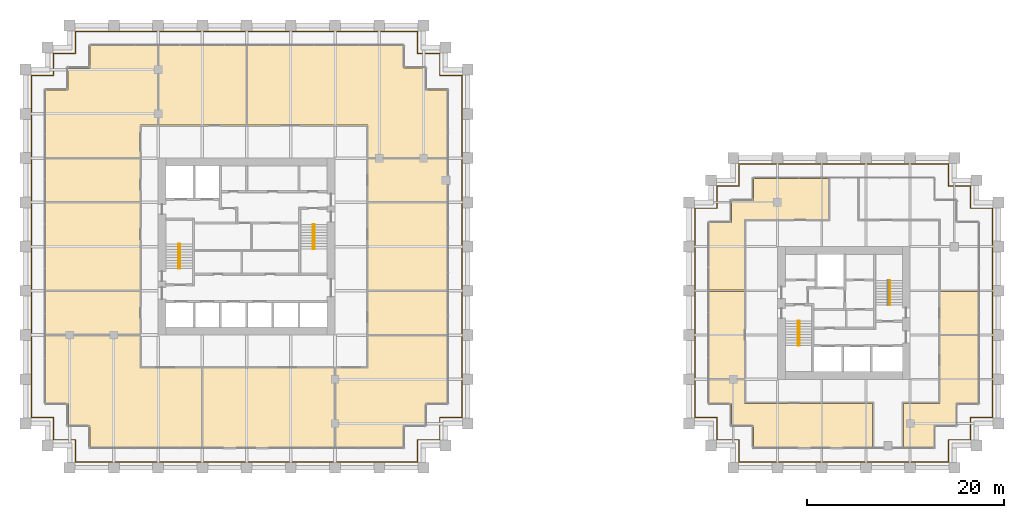
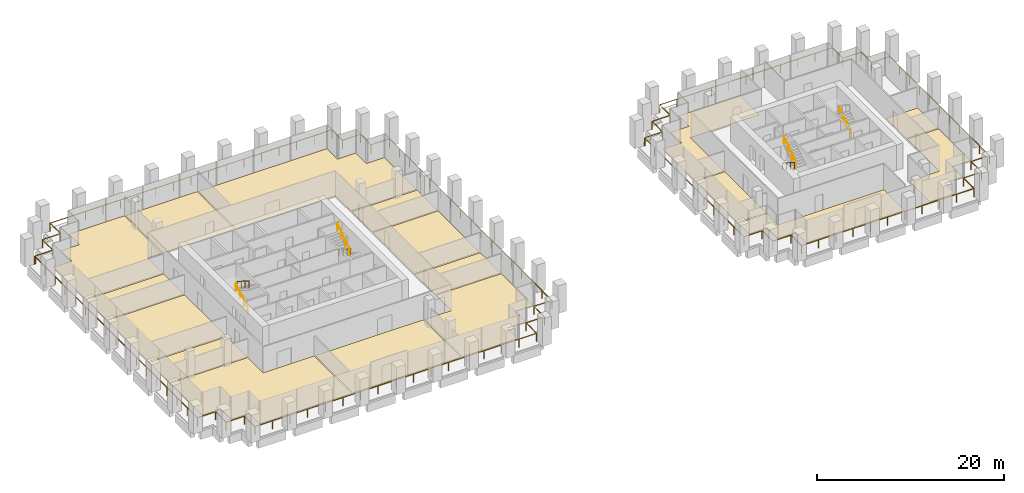
# One storey, part 55 of 56: 17 coverings, 9 railings.
"""IFC4 building model written with IfcOpenShell, lengths in metres."""

import ifcopenshell
import ifcopenshell.guid

model = None  # the IFC model being written
_history = None  # IfcOwnerHistory: only IFC2X3 demands one
_inside = {}  # id of a spatial element -> (the spatial element, [elements in it])
_under = {}  # id of a project, library or spatial element -> (it, [spatial elements below it])
_declared = {}  # id of a project -> (the project, [libraries it declares])
_typed = {}  # id of a type object -> (the type object, [elements of that type])
_made_of = {}  # id of a material, layer set ... -> (it, [elements and type objects made of it])


def new_model(schema):
    """Start an empty IFC model of exactly this schema.

    Asked for "IFC4X3", IfcOpenShell would pick the latest addendum, in which some entities
    have other attributes; the version numbers below select the first issue.
    IFC2X3 requires an IfcOwnerHistory on every rooted entity: one is made here for all.
    """
    global model, _history
    if schema == "IFC4X3":
        model = ifcopenshell.file(schema_version=(4, 3, 0, 0))
    else:
        model = ifcopenshell.file(schema=schema)
    _inside.clear()
    _under.clear()
    _declared.clear()
    _typed.clear()
    _made_of.clear()
    _history = None
    if model.schema == "IFC2X3":
        org = make("IfcOrganization", Name="unknown")
        user = make(
            "IfcPersonAndOrganization",
            ThePerson=make("IfcPerson", FamilyName="unknown"),
            TheOrganization=org,
        )
        app = make(
            "IfcApplication",
            ApplicationDeveloper=org,
            Version="unknown",
            ApplicationFullName="unknown",
            ApplicationIdentifier="unknown",
        )
        _history = make(
            "IfcOwnerHistory",
            OwningUser=user,
            OwningApplication=app,
            ChangeAction="ADDED",
            CreationDate=0,
        )
    return model


def make(cls, **values):
    """One entity of the class cls with the attributes given. An attribute that is None is left unset."""
    return model.create_entity(
        cls, **{name: value for name, value in values.items() if value is not None}
    )


def rooted(cls, **values):
    """An entity with a GlobalId (a new one), such as an element, a storey or a relation."""
    return make(cls, GlobalId=ifcopenshell.guid.new(), OwnerHistory=_history, **values)


def si_unit(unit_type, name, prefix=None):
    """IfcSIUnit, for example si_unit("LENGTHUNIT", "METRE", prefix="MILLI")."""
    return make("IfcSIUnit", UnitType=unit_type, Prefix=prefix, Name=name)


def assignment(units):
    """IfcUnitAssignment: the units of a project."""
    return None if units is None else make("IfcUnitAssignment", Units=units)


def point(xyz):
    """IfcCartesianPoint."""
    return None if xyz is None else make("IfcCartesianPoint", Coordinates=xyz)


def direction(xyz):
    """IfcDirection."""
    return None if xyz is None else make("IfcDirection", DirectionRatios=xyz)


def frame(location, z_axis=None, x_axis=None):
    """IfcAxis2Placement3D, a coordinate frame: its origin and axes. An axis left out is left unset."""
    return make(
        "IfcAxis2Placement3D",
        Location=point(location),
        Axis=direction(z_axis),
        RefDirection=direction(x_axis),
    )


def frame_2d(location, x_axis=None):
    """IfcAxis2Placement2D, a coordinate frame in the plane: its origin and x axis."""
    return make(
        "IfcAxis2Placement2D", Location=point(location), RefDirection=direction(x_axis)
    )


def origin():
    """The frame at (0, 0, 0) with its axes left unset."""
    return frame((0.0, 0.0, 0.0))


def origin_2d():
    """The frame at (0, 0) in the plane with its x axis left unset."""
    return frame_2d((0.0, 0.0))


def place(relative_to, where):
    """IfcLocalPlacement: puts the frame where relative to a parent placement (None: the world)."""
    return make(
        "IfcLocalPlacement", PlacementRelTo=relative_to, RelativePlacement=where
    )


def context(
    kind, dimensions, precision=None, world=None, true_north=None, identifier=None
):
    """IfcGeometricRepresentationContext, for example the 3D "Model" context."""
    return make(
        "IfcGeometricRepresentationContext",
        ContextIdentifier=identifier,
        ContextType=kind,
        CoordinateSpaceDimension=dimensions,
        Precision=precision,
        WorldCoordinateSystem=world,
        TrueNorth=true_north,
    )


def subcontext(parent, identifier, kind, view, scale=None):
    """IfcGeometricRepresentationSubContext, for example "Body" below "Model"."""
    return make(
        "IfcGeometricRepresentationSubContext",
        ContextIdentifier=identifier,
        ContextType=kind,
        ParentContext=parent,
        TargetScale=scale,
        TargetView=view,
    )


def project(units=None, contexts=None):
    """IfcProject with its units and contexts."""
    return rooted(
        "IfcProject",
        Name="project",
        RepresentationContexts=contexts,
        UnitsInContext=assignment(units),
    )


def spatial(cls, under=None, at=None, **own):
    """A site, building, storey or space (cls), placed at a placement, below another one or the project."""
    s = rooted(cls, ObjectPlacement=at, **own)
    if under is not None:
        _under.setdefault(under.id(), (under, []))[1].append(s)
    return s


def polyline(points):
    """IfcPolyline through the points."""
    return make("IfcPolyline", Points=[point(p) for p in points])


def profile(cls, at=None, kind="AREA", **sizes):
    """A parametric profile (cls). Its sizes go by their IFC names, for example OverallWidth=200.0."""
    return make(cls, ProfileType=kind, Position=at, **sizes)


def circle(**sizes):
    """IfcCircleProfileDef."""
    return profile("IfcCircleProfileDef", **sizes)


def outline(outer, holes=None, kind="AREA"):
    """IfcArbitraryClosedProfileDef: a profile drawn as a closed curve; with holes, ...WithVoids."""
    if holes is None:
        return make("IfcArbitraryClosedProfileDef", ProfileType=kind, OuterCurve=outer)
    return make(
        "IfcArbitraryProfileDefWithVoids",
        ProfileType=kind,
        OuterCurve=outer,
        InnerCurves=holes,
    )


def extrude(swept, where, along, depth):
    """IfcExtrudedAreaSolid: the profile swept, set in the frame where, extruded along a direction by depth."""
    return make(
        "IfcExtrudedAreaSolid",
        SweptArea=swept,
        Position=where,
        ExtrudedDirection=direction(along),
        Depth=depth,
    )


def shape(context_of_items, identifier, shape_type, items):
    """IfcShapeRepresentation: the items that make up one representation, for example the "Body"."""
    return make(
        "IfcShapeRepresentation",
        ContextOfItems=context_of_items,
        RepresentationIdentifier=identifier,
        RepresentationType=shape_type,
        Items=items,
    )


def source(mapping_origin, context_of_items, identifier, shape_type, items):
    """IfcRepresentationMap: a shape defined once, which mapped items show again and again."""
    return make(
        "IfcRepresentationMap",
        MappingOrigin=mapping_origin,
        MappedRepresentation=shape(context_of_items, identifier, shape_type, items),
    )


def transform(
    local_origin,
    x_axis=None,
    y_axis=None,
    z_axis=None,
    scale=None,
    scale2=None,
    scale3=None,
    uniform=True,
):
    """IfcCartesianTransformationOperator3D, or its non-uniform kind. x_axis, y_axis, z_axis: its Axis1, 2, 3."""
    if uniform:
        return make(
            "IfcCartesianTransformationOperator3D",
            Axis1=direction(x_axis),
            Axis2=direction(y_axis),
            LocalOrigin=point(local_origin),
            Scale=scale,
            Axis3=direction(z_axis),
        )
    return make(
        "IfcCartesianTransformationOperator3DnonUniform",
        Axis1=direction(x_axis),
        Axis2=direction(y_axis),
        LocalOrigin=point(local_origin),
        Scale=scale,
        Axis3=direction(z_axis),
        Scale2=scale2,
        Scale3=scale3,
    )


def mapped(mapping_source, mapping_target):
    """IfcMappedItem: shows the shape of a source again, moved by a transform."""
    return make(
        "IfcMappedItem", MappingSource=mapping_source, MappingTarget=mapping_target
    )


def material(Name=None, Category=None):
    """IfcMaterial."""
    return make("IfcMaterial", Name=Name, Category=Category)


def layer(
    of_material, thickness, ventilated=None, Name=None, Category=None, Priority=None
):
    """IfcMaterialLayer: one layer of a wall or slab, of a material (None: an air gap)."""
    return make(
        "IfcMaterialLayer",
        Material=of_material,
        LayerThickness=thickness,
        IsVentilated=ventilated,
        Name=Name,
        Category=Category,
        Priority=Priority,
    )


def layer_set(layers, Name=None):
    """IfcMaterialLayerSet."""
    return make("IfcMaterialLayerSet", MaterialLayers=layers, LayerSetName=Name)


def made_of(thing, what):
    """Note that an element or type object is made of a material, layer set ...; save() writes the relation."""
    if what is not None:
        _made_of.setdefault(what.id(), (what, []))[1].append(thing)
    return thing


def type_object(cls, material=None, **own):
    """A type object (cls), such as IfcWallType, which elements share."""
    return made_of(rooted(cls, **own), material)


def element(
    cls,
    number,
    at=None,
    inside=None,
    cuts=None,
    type_object=None,
    material=None,
    context=None,
    identifier="Body",
    shape_type=None,
    held_by="IfcProductDefinitionShape",
    body=None,
    shapes=None,
    **own,
):
    """One element of the class cls, such as IfcWall. Its Tag is "e" and its number.

    at: its placement. inside: the storey or other place that contains it. cuts: it is an
    opening in that element (IfcRelVoidsElement). A single representation is given by context,
    identifier, shape_type and body (its items); several are given by shapes. held_by: the class
    of the entity that holds the representations. save() writes the other relations.
    """
    e = rooted(cls, Tag="e%d" % number, ObjectPlacement=at, **own)
    if body is not None:
        shapes = [shape(context, identifier, shape_type, body)]
    if shapes is not None:
        e.Representation = make(held_by, Representations=shapes)
    if inside is not None:
        _inside.setdefault(inside.id(), (inside, []))[1].append(e)
    if cuts is not None:
        rooted(
            "IfcRelVoidsElement", RelatingBuildingElement=cuts, RelatedOpeningElement=e
        )
    if type_object is not None:
        _typed.setdefault(type_object.id(), (type_object, []))[1].append(e)
    return made_of(e, material)


def aggregate(whole, parts):
    """IfcRelAggregates: a whole, such as a stair, and the parts it consists of."""
    return rooted("IfcRelAggregates", RelatingObject=whole, RelatedObjects=parts)


def save(model, path):
    """Write the relations noted so far, then the file.

    IfcRelAggregates (storeys below a building ...), IfcRelContainedInSpatialStructure (elements
    in a storey), IfcRelDefinesByType, IfcRelAssociatesMaterial and IfcRelDeclares: one each for
    every whole, place, type object, material and project.
    """
    for whole, parts in _under.values():
        aggregate(whole, parts)
    for where, things in _inside.values():
        rooted(
            "IfcRelContainedInSpatialStructure",
            RelatedElements=things,
            RelatingStructure=where,
        )
    for kind, things in _typed.values():
        rooted("IfcRelDefinesByType", RelatedObjects=things, RelatingType=kind)
    for what, things in _made_of.values():
        rooted("IfcRelAssociatesMaterial", RelatedObjects=things, RelatingMaterial=what)
    for by, libraries in _declared.values():
        rooted("IfcRelDeclares", RelatingContext=by, RelatedDefinitions=libraries)
    model.write(path)


model = new_model("IFC4")

# Units and contexts
model_context = context("Model", 3, precision=1e-05, world=origin(), true_north=direction((0.0, 1.0)))
body_context = subcontext(model_context, "Body", "Model", "MODEL_VIEW")
ifc_project = project(units=[si_unit("LENGTHUNIT", "METRE"), si_unit("AREAUNIT", "SQUARE_METRE"), si_unit("VOLUMEUNIT", "CUBIC_METRE"), si_unit("PLANEANGLEUNIT", "RADIAN"), si_unit("MASSUNIT", "GRAM", prefix="KILO")], contexts=[model_context])

# Site, building, storey
site_placement = place(None, origin())
site = spatial("IfcSite", under=ifc_project, at=site_placement, CompositionType="ELEMENT")
building_placement = place(site_placement, origin())
building = spatial("IfcBuilding", under=site, at=building_placement, Name="Altepetl Exchange Towers", CompositionType="ELEMENT")
storey_placement = place(building_placement, frame((0.0, 0.0, 83.39990234375)))
storey = spatial("IfcBuildingStorey", under=building, at=storey_placement, Name="L20", CompositionType="ELEMENT", Elevation=83.39990234375)

# Coverings
ifc_material_1 = material(Name="Carpet tile")
ifc_layer_1 = layer(ifc_material_1, 0.02001953125)
ifc_layer_set_1 = layer_set([ifc_layer_1], Name="Carpet tile")
covering_type_1 = type_object("IfcCoveringType", Name="Carpet tile floor", PredefinedType="FLOORING", material=ifc_layer_set_1)
covering_1_placement = place(storey_placement, origin())
element("IfcCovering", 1, at=covering_1_placement, inside=storey, type_object=covering_type_1, Name="Meeting room floor finish A20.01", PredefinedType="FLOORING", context=body_context, shape_type="SweptSolid", body=[
    extrude(outline(polyline([(29.0625, 40.5625), (38.637451171875, 40.5625), (38.637451171875, 44.9375), (29.0625, 44.9375), (29.0625, 40.5625)])), origin(), (0.0, 0.0, 1.0), 0.02001953125),
])
covering_2_placement = place(storey_placement, origin())
element("IfcCovering", 2, at=covering_2_placement, inside=storey, type_object=covering_type_1, Name="Open office floor finish A20.04", PredefinedType="FLOORING", context=body_context, shape_type="SweptSolid", body=[
    extrude(outline(polyline([(69.9375, 40.4375), (61.862548828125, 40.4375), (61.862548828125, 37.137451171875), (58.5625, 37.137451171875), (58.5625, 29.0625), (65.4375, 29.0625), (65.4375, 31.3125), (67.6875, 31.3125), (67.6875, 33.5625), (69.9375, 33.5625), (69.9375, 40.4375)])), origin(), (0.0, 0.0, 1.0), 0.02001953125),
])
covering_3_placement = place(storey_placement, origin())
element("IfcCovering", 3, at=covering_3_placement, inside=storey, type_object=covering_type_1, Name="Print room floor finish A20.05", PredefinedType="FLOORING", context=body_context, shape_type="SweptSolid", body=[
    extrude(outline(polyline([(69.9375, 44.9375), (61.862548828125, 44.9375), (61.862548828125, 40.5625), (69.9375, 40.5625), (69.9375, 44.9375)])), origin(), (0.0, 0.0, 1.0), 0.02001953125),
])
covering_4_placement = place(storey_placement, origin())
element("IfcCovering", 4, at=covering_4_placement, inside=storey, type_object=covering_type_1, Name="Legal office floor finish A20.06", PredefinedType="FLOORING", context=body_context, shape_type="SweptSolid", body=[
    extrude(outline(polyline([(69.9375, 53.9375), (61.862548828125, 53.9375), (61.862548828125, 45.0625), (69.9375, 45.0625), (69.9375, 53.9375)])), origin(), (0.0, 0.0, 1.0), 0.02001953125),
])
covering_5_placement = place(storey_placement, origin())
element("IfcCovering", 5, at=covering_5_placement, inside=storey, type_object=covering_type_1, Name="Print room floor finish A20.07", PredefinedType="FLOORING", context=body_context, shape_type="SweptSolid", body=[
    extrude(outline(polyline([(69.9375, 58.4375), (61.862548828125, 58.4375), (61.862548828125, 54.0625), (69.9375, 54.0625), (69.9375, 58.4375)])), origin(), (0.0, 0.0, 1.0), 0.02001953125),
])
covering_6_placement = place(storey_placement, origin())
element("IfcCovering", 6, at=covering_6_placement, inside=storey, type_object=covering_type_1, Name="Open office floor finish A20.08", PredefinedType="FLOORING", context=body_context, shape_type="SweptSolid", body=[
    extrude(outline(polyline([(49.5625, 69.9375), (49.5625, 61.862548828125), (61.862548828125, 61.862548828125), (61.862548828125, 58.5625), (69.9375, 58.5625), (69.9375, 65.4375), (67.6875, 65.4375), (67.6875, 67.6875), (65.4375, 67.6875), (65.4375, 69.9375), (49.5625, 69.9375)])), origin(), (0.0, 0.0, 1.0), 0.02001953125),
])
covering_7_placement = place(storey_placement, origin())
element("IfcCovering", 7, at=covering_7_placement, inside=storey, type_object=covering_type_1, Name="Open office floor finish A20.09", PredefinedType="FLOORING", context=body_context, shape_type="SweptSolid", body=[
    extrude(outline(polyline([(40.5625, 69.9375), (40.5625, 61.862548828125), (49.4375, 61.862548828125), (49.4375, 69.9375), (40.5625, 69.9375)])), origin(), (0.0, 0.0, 1.0), 0.02001953125),
])
covering_8_placement = place(storey_placement, origin())
element("IfcCovering", 8, at=covering_8_placement, inside=storey, type_object=covering_type_1, Name="Legal office floor finish A20.10", PredefinedType="FLOORING", context=body_context, shape_type="SweptSolid", body=[
    extrude(outline(polyline([(33.5625, 67.6875), (31.3125, 67.6875), (31.3125, 65.4375), (29.0625, 65.4375), (29.0625, 58.5625), (38.637451171875, 58.5625), (38.637451171875, 61.862548828125), (40.4375, 61.862548828125), (40.4375, 69.9375), (33.5625, 69.9375), (33.5625, 67.6875)])), origin(), (0.0, 0.0, 1.0), 0.02001953125),
])
covering_9_placement = place(storey_placement, origin())
element("IfcCovering", 9, at=covering_9_placement, inside=storey, type_object=covering_type_1, Name="Print room floor finish A20.11", PredefinedType="FLOORING", context=body_context, shape_type="SweptSolid", body=[
    extrude(outline(polyline([(29.0625, 54.0625), (38.637451171875, 54.0625), (38.637451171875, 58.4375), (29.0625, 58.4375), (29.0625, 54.0625)])), origin(), (0.0, 0.0, 1.0), 0.02001953125),
])
covering_10_placement = place(storey_placement, origin())
element("IfcCovering", 10, at=covering_10_placement, inside=storey, type_object=covering_type_1, Name="Meeting room floor finish B20.01", PredefinedType="FLOORING", context=body_context, shape_type="SweptSolid", body=[
    extrude(outline(polyline([(100.137451171875, 44.9375), (96.5625, 44.9375), (96.5625, 36.0625), (100.137451171875, 36.0625), (100.137451171875, 44.9375)])), origin(), (0.0, 0.0, 1.0), 0.02001953125),
])
covering_11_placement = place(storey_placement, origin())
element("IfcCovering", 11, at=covering_11_placement, inside=storey, type_object=covering_type_1, Name="Open office floor finish B20.02", PredefinedType="FLOORING", context=body_context, shape_type="SweptSolid", body=[
    extrude(outline(polyline([(100.137451171875, 33.53759765625), (100.137451171875, 35.9375), (96.5625, 35.9375), (96.5625, 33.5625), (98.8125, 33.5625), (98.8125, 31.3125), (101.0625, 31.3125), (101.0625, 29.0625), (113.1875, 29.0625), (113.1875, 33.53759765625), (100.137451171875, 33.53759765625)])), origin(), (0.0, 0.0, 1.0), 0.02001953125),
])
covering_12_placement = place(storey_placement, origin())
element("IfcCovering", 12, at=covering_12_placement, inside=storey, type_object=covering_type_1, Name="Print room floor finish B20.04", PredefinedType="FLOORING", context=body_context, shape_type="SweptSolid", body=[
    extrude(outline(polyline([(123.9375, 44.9375), (120.0625, 44.9375), (120.0625, 40.5625), (123.9375, 40.5625), (123.9375, 44.9375)])), origin(), (0.0, 0.0, 1.0), 0.02001953125),
])
covering_13_placement = place(storey_placement, origin())
element("IfcCovering", 13, at=covering_13_placement, inside=storey, type_object=covering_type_1, Name="Fund office floor finish B20.06", PredefinedType="FLOORING", context=body_context, shape_type="SweptSolid", body=[
    extrude(outline(polyline([(108.6875, 56.4375), (101.0625, 56.4375), (101.0625, 54.1875), (98.8125, 54.1875), (98.8125, 51.9375), (96.5625, 51.9375), (96.5625, 45.0625), (100.137451171875, 45.0625), (100.137451171875, 52.262451171875), (108.6875, 52.262451171875), (108.6875, 56.4375)])), origin(), (0.0, 0.0, 1.0), 0.02001953125),
])
ifc_material_2 = material(Name="Cantera stone", Category="masonry")
ifc_layer_2 = layer(ifc_material_2, 0.030029296875)
ifc_layer_set_2 = layer_set([ifc_layer_2], Name="Cantera stone")
covering_type_2 = type_object("IfcCoveringType", Name="Polished stone floor", PredefinedType="FLOORING", material=ifc_layer_set_2)
covering_14_placement = place(storey_placement, origin())
element("IfcCovering", 14, at=covering_14_placement, inside=storey, type_object=covering_type_2, Name="Library floor finish A20.02", PredefinedType="FLOORING", context=body_context, shape_type="SweptSolid", body=[
    extrude(outline(polyline([(44.9375, 29.0625), (44.9375, 37.137451171875), (38.637451171875, 37.137451171875), (38.637451171875, 40.4375), (29.0625, 40.4375), (29.0625, 33.5625), (31.3125, 33.5625), (31.3125, 31.3125), (33.5625, 31.3125), (33.5625, 29.0625), (44.9375, 29.0625)])), origin(), (0.0, 0.0, 1.0), 0.030029296875),
])
covering_15_placement = place(storey_placement, origin())
element("IfcCovering", 15, at=covering_15_placement, inside=storey, type_object=covering_type_2, Name="Library floor finish A20.03", PredefinedType="FLOORING", context=body_context, shape_type="SweptSolid", body=[
    extrude(outline(polyline([(58.4375, 29.0625), (58.4375, 37.137451171875), (45.0625, 37.137451171875), (45.0625, 29.0625), (58.4375, 29.0625)])), origin(), (0.0, 0.0, 1.0), 0.030029296875),
])
covering_16_placement = place(storey_placement, origin())
element("IfcCovering", 16, at=covering_16_placement, inside=storey, type_object=covering_type_2, Name="Library floor finish A20.12", PredefinedType="FLOORING", context=body_context, shape_type="SweptSolid", body=[
    extrude(outline(polyline([(29.0625, 45.0625), (38.637451171875, 45.0625), (38.637451171875, 53.9375), (29.0625, 53.9375), (29.0625, 45.0625)])), origin(), (0.0, 0.0, 1.0), 0.030029296875),
])
covering_17_placement = place(storey_placement, origin())
element("IfcCovering", 17, at=covering_17_placement, inside=storey, type_object=covering_type_2, Name="Staff club floor finish B20.03", PredefinedType="FLOORING", context=body_context, shape_type="SweptSolid", body=[
    extrude(outline(polyline([(123.9375, 33.5625), (123.9375, 40.4375), (120.0625, 40.4375), (120.0625, 33.53759765625), (116.3125, 33.53759765625), (116.3125, 29.0625), (119.4375, 29.0625), (119.4375, 31.3125), (121.6875, 31.3125), (121.6875, 33.5625), (123.9375, 33.5625)])), origin(), (0.0, 0.0, 1.0), 0.030029296875),
])

# Railings
ifc_material_3 = material(Name="Steel S355", Category="steel")
railing_type_1 = type_object("IfcRailingType", Name="Guard 1100 steel posts and rail", PredefinedType="GUARDRAIL", material=ifc_material_3)
shared_shape_1 = source(origin(), body_context, "Body", "SweptSolid", [
    extrude(circle(Radius=0.02099609375, at=origin_2d()), origin(), (0.0, 0.0, 1.0), 1.052001953125),
])
railing_1_placement = place(storey_placement, frame((27.60009765625, 66.89990234375, 0.0)))
element("IfcRailing", 18, at=railing_1_placement, inside=storey, type_object=railing_type_1, Name="Loggia guard", PredefinedType="GUARDRAIL", context=body_context, shape_type="SweptSolid", body=[
    extrude(circle(Radius=0.02392578125, at=origin_2d()), frame((0.0, 0.0, 1.076171875), z_axis=(0.0, -1.0, 0.0), x_axis=(1.0, 0.0, 0.0)), (0.0, 0.0, 1.0), 34.7998046875),
    extrude(circle(Radius=0.02392578125, at=origin_2d()), frame((0.0, -34.7998046875, 1.076171875), z_axis=(1.0, 0.0, 0.0), x_axis=(0.0, 1.0, 0.0)), (0.0, 0.0, 1.0), 2.25),
    extrude(circle(Radius=0.02392578125, at=origin_2d()), frame((2.25, -34.7998046875, 1.076171875), z_axis=(0.0, -1.0, 0.0), x_axis=(1.0, 0.0, 0.0)), (0.0, 0.0, 1.0), 2.25),
    extrude(circle(Radius=0.02392578125, at=origin_2d()), frame((2.25, -37.0498046875, 1.076171875), z_axis=(1.0, 0.0, 0.0), x_axis=(0.0, 1.0, 0.0)), (0.0, 0.0, 1.0), 2.25),
    extrude(circle(Radius=0.02392578125, at=origin_2d()), frame((4.5, -37.0498046875, 1.076171875), z_axis=(0.0, -1.0, 0.0), x_axis=(1.0, 0.0, 0.0)), (0.0, 0.0, 1.0), 2.25),
    extrude(circle(Radius=0.02392578125, at=origin_2d()), frame((4.5, -39.2998046875, 1.076171875), z_axis=(1.0, 0.0, 0.0), x_axis=(0.0, 1.0, 0.0)), (0.0, 0.0, 1.0), 34.7998046875),
    extrude(circle(Radius=0.02392578125, at=origin_2d()), frame((39.2998046875, -39.2998046875, 1.076171875), z_axis=(0.0, 1.0, 0.0), x_axis=(-1.0, 0.0, 0.0)), (0.0, 0.0, 1.0), 2.25),
    extrude(circle(Radius=0.02392578125, at=origin_2d()), frame((39.2998046875, -37.0498046875, 1.076171875), z_axis=(1.0, 0.0, 0.0), x_axis=(0.0, 1.0, 0.0)), (0.0, 0.0, 1.0), 2.25),
    extrude(circle(Radius=0.02392578125, at=origin_2d()), frame((41.5498046875, -37.0498046875, 1.076171875), z_axis=(0.0, 1.0, 0.0), x_axis=(-1.0, 0.0, 0.0)), (0.0, 0.0, 1.0), 2.25),
    extrude(circle(Radius=0.02392578125, at=origin_2d()), frame((41.5498046875, -34.7998046875, 1.076171875), z_axis=(1.0, 0.0, 0.0), x_axis=(0.0, 1.0, 0.0)), (0.0, 0.0, 1.0), 2.25),
    extrude(circle(Radius=0.02392578125, at=origin_2d()), frame((43.7998046875, -34.7998046875, 1.076171875), z_axis=(0.0, 1.0, 0.0), x_axis=(-1.0, 0.0, 0.0)), (0.0, 0.0, 1.0), 34.7998046875),
    extrude(circle(Radius=0.02392578125, at=origin_2d()), frame((43.7998046875, 0.0, 1.076171875), z_axis=(-1.0, 0.0, 0.0), x_axis=(0.0, -1.0, 0.0)), (0.0, 0.0, 1.0), 2.25),
    extrude(circle(Radius=0.02392578125, at=origin_2d()), frame((41.5498046875, 0.0, 1.076171875), z_axis=(0.0, 1.0, 0.0), x_axis=(-1.0, 0.0, 0.0)), (0.0, 0.0, 1.0), 2.25),
    extrude(circle(Radius=0.02392578125, at=origin_2d()), frame((41.5498046875, 2.25, 1.076171875), z_axis=(-1.0, 0.0, 0.0), x_axis=(0.0, -1.0, 0.0)), (0.0, 0.0, 1.0), 2.25),
    extrude(circle(Radius=0.02392578125, at=origin_2d()), frame((39.2998046875, 2.25, 1.076171875), z_axis=(0.0, 1.0, 0.0), x_axis=(-1.0, 0.0, 0.0)), (0.0, 0.0, 1.0), 2.25),
    extrude(circle(Radius=0.02392578125, at=origin_2d()), frame((39.2998046875, 4.5, 1.076171875), z_axis=(-1.0, 0.0, 0.0), x_axis=(0.0, -1.0, 0.0)), (0.0, 0.0, 1.0), 34.7998046875),
    extrude(circle(Radius=0.02392578125, at=origin_2d()), frame((4.5, 4.5, 1.076171875), z_axis=(0.0, -1.0, 0.0), x_axis=(1.0, 0.0, 0.0)), (0.0, 0.0, 1.0), 2.25),
    extrude(circle(Radius=0.02392578125, at=origin_2d()), frame((4.5, 2.25, 1.076171875), z_axis=(-1.0, 0.0, 0.0), x_axis=(0.0, -1.0, 0.0)), (0.0, 0.0, 1.0), 2.25),
    extrude(circle(Radius=0.02392578125, at=origin_2d()), frame((2.25, 2.25, 1.076171875), z_axis=(0.0, -1.0, 0.0), x_axis=(1.0, 0.0, 0.0)), (0.0, 0.0, 1.0), 2.25),
    extrude(circle(Radius=0.02392578125, at=origin_2d()), frame((2.25, 0.0, 1.076171875), z_axis=(-1.0, 0.0, 0.0), x_axis=(0.0, -1.0, 0.0)), (0.0, 0.0, 1.0), 2.150146484375),
    mapped(shared_shape_1, transform((0.0, 0.0, 0.0))),
    mapped(shared_shape_1, transform((0.0, -2.175048828125, 0.0))),
    mapped(shared_shape_1, transform((0.0, -4.35009765625, 0.0))),
    mapped(shared_shape_1, transform((0.0, -6.52490234375, 0.0))),
    mapped(shared_shape_1, transform((0.0, -8.699951171875, 0.0))),
    mapped(shared_shape_1, transform((0.0, -10.875, 0.0))),
    mapped(shared_shape_1, transform((0.0, -13.0498046875, 0.0))),
    mapped(shared_shape_1, transform((0.0, -15.224853515625, 0.0))),
    mapped(shared_shape_1, transform((0.0, -17.39990234375, 0.0))),
    mapped(shared_shape_1, transform((0.0, -19.574951171875, 0.0))),
    mapped(shared_shape_1, transform((0.0, -21.75, 0.0))),
    mapped(shared_shape_1, transform((0.0, -23.9248046875, 0.0))),
    mapped(shared_shape_1, transform((0.0, -26.099853515625, 0.0))),
    mapped(shared_shape_1, transform((0.0, -28.27490234375, 0.0))),
    mapped(shared_shape_1, transform((0.0, -30.44970703125, 0.0))),
    mapped(shared_shape_1, transform((0.0, -32.624755859375, 0.0))),
    mapped(shared_shape_1, transform((0.0, -34.7998046875, 0.0))),
    mapped(shared_shape_1, transform((2.25, -34.7998046875, 0.0))),
    mapped(shared_shape_1, transform((2.25, -37.0498046875, 0.0))),
    mapped(shared_shape_1, transform((4.5, -37.0498046875, 0.0))),
    mapped(shared_shape_1, transform((4.5, -39.2998046875, 0.0))),
    mapped(shared_shape_1, transform((6.675048828125, -39.2998046875, 0.0))),
    mapped(shared_shape_1, transform((8.85009765625, -39.2998046875, 0.0))),
    mapped(shared_shape_1, transform((11.02490234375, -39.2998046875, 0.0))),
    mapped(shared_shape_1, transform((13.199951171875, -39.2998046875, 0.0))),
    mapped(shared_shape_1, transform((15.375, -39.2998046875, 0.0))),
    mapped(shared_shape_1, transform((17.5498046875, -39.2998046875, 0.0))),
    mapped(shared_shape_1, transform((19.724853515625, -39.2998046875, 0.0))),
    mapped(shared_shape_1, transform((21.89990234375, -39.2998046875, 0.0))),
    mapped(shared_shape_1, transform((24.074951171875, -39.2998046875, 0.0))),
    mapped(shared_shape_1, transform((26.25, -39.2998046875, 0.0))),
    mapped(shared_shape_1, transform((28.4248046875, -39.2998046875, 0.0))),
    mapped(shared_shape_1, transform((30.599853515625, -39.2998046875, 0.0))),
    mapped(shared_shape_1, transform((32.77490234375, -39.2998046875, 0.0))),
    mapped(shared_shape_1, transform((34.94970703125, -39.2998046875, 0.0))),
    mapped(shared_shape_1, transform((37.124755859375, -39.2998046875, 0.0))),
    mapped(shared_shape_1, transform((39.2998046875, -39.2998046875, 0.0))),
    mapped(shared_shape_1, transform((39.2998046875, -37.0498046875, 0.0))),
    mapped(shared_shape_1, transform((41.5498046875, -37.0498046875, 0.0))),
    mapped(shared_shape_1, transform((41.5498046875, -34.7998046875, 0.0))),
    mapped(shared_shape_1, transform((43.7998046875, -34.7998046875, 0.0))),
    mapped(shared_shape_1, transform((43.7998046875, -32.624755859375, 0.0))),
    mapped(shared_shape_1, transform((43.7998046875, -30.44970703125, 0.0))),
    mapped(shared_shape_1, transform((43.7998046875, -28.27490234375, 0.0))),
    mapped(shared_shape_1, transform((43.7998046875, -26.099853515625, 0.0))),
    mapped(shared_shape_1, transform((43.7998046875, -23.9248046875, 0.0))),
    mapped(shared_shape_1, transform((43.7998046875, -21.75, 0.0))),
    mapped(shared_shape_1, transform((43.7998046875, -19.574951171875, 0.0))),
    mapped(shared_shape_1, transform((43.7998046875, -17.39990234375, 0.0))),
    mapped(shared_shape_1, transform((43.7998046875, -15.224853515625, 0.0))),
    mapped(shared_shape_1, transform((43.7998046875, -13.0498046875, 0.0))),
    mapped(shared_shape_1, transform((43.7998046875, -10.875, 0.0))),
    mapped(shared_shape_1, transform((43.7998046875, -8.699951171875, 0.0))),
    mapped(shared_shape_1, transform((43.7998046875, -6.52490234375, 0.0))),
    mapped(shared_shape_1, transform((43.7998046875, -4.35009765625, 0.0))),
    mapped(shared_shape_1, transform((43.7998046875, -2.175048828125, 0.0))),
    mapped(shared_shape_1, transform((43.7998046875, 0.0, 0.0))),
    mapped(shared_shape_1, transform((41.5498046875, 0.0, 0.0))),
    mapped(shared_shape_1, transform((41.5498046875, 2.25, 0.0))),
    mapped(shared_shape_1, transform((39.2998046875, 2.25, 0.0))),
    mapped(shared_shape_1, transform((39.2998046875, 4.5, 0.0))),
    mapped(shared_shape_1, transform((37.124755859375, 4.5, 0.0))),
    mapped(shared_shape_1, transform((34.94970703125, 4.5, 0.0))),
    mapped(shared_shape_1, transform((32.77490234375, 4.5, 0.0))),
    mapped(shared_shape_1, transform((30.599853515625, 4.5, 0.0))),
    mapped(shared_shape_1, transform((28.4248046875, 4.5, 0.0))),
    mapped(shared_shape_1, transform((26.25, 4.5, 0.0))),
    mapped(shared_shape_1, transform((24.074951171875, 4.5, 0.0))),
    mapped(shared_shape_1, transform((21.89990234375, 4.5, 0.0))),
    mapped(shared_shape_1, transform((19.724853515625, 4.5, 0.0))),
    mapped(shared_shape_1, transform((17.5498046875, 4.5, 0.0))),
    mapped(shared_shape_1, transform((15.375, 4.5, 0.0))),
    mapped(shared_shape_1, transform((13.199951171875, 4.5, 0.0))),
    mapped(shared_shape_1, transform((11.02490234375, 4.5, 0.0))),
    mapped(shared_shape_1, transform((8.85009765625, 4.5, 0.0))),
    mapped(shared_shape_1, transform((6.675048828125, 4.5, 0.0))),
    mapped(shared_shape_1, transform((4.5, 4.5, 0.0))),
    mapped(shared_shape_1, transform((4.5, 2.25, 0.0))),
    mapped(shared_shape_1, transform((2.25, 2.25, 0.0))),
    mapped(shared_shape_1, transform((2.25, 0.0, 0.0))),
    mapped(shared_shape_1, transform((0.099853515625, 0.0, 0.0))),
])
railing_2_placement = place(storey_placement, frame((95.10009765625, 53.39990234375, 0.0)))
element("IfcRailing", 19, at=railing_2_placement, inside=storey, type_object=railing_type_1, Name="Loggia guard", PredefinedType="GUARDRAIL", context=body_context, shape_type="SweptSolid", body=[
    extrude(circle(Radius=0.02392578125, at=origin_2d()), frame((0.0, 0.0, 1.076171875), z_axis=(0.0, -1.0, 0.0), x_axis=(1.0, 0.0, 0.0)), (0.0, 0.0, 1.0), 21.2998046875),
    extrude(circle(Radius=0.02392578125, at=origin_2d()), frame((0.0, -21.2998046875, 1.076171875), z_axis=(1.0, 0.0, 0.0), x_axis=(0.0, 1.0, 0.0)), (0.0, 0.0, 1.0), 2.25),
    extrude(circle(Radius=0.02392578125, at=origin_2d()), frame((2.25, -21.2998046875, 1.076171875), z_axis=(0.0, -1.0, 0.0), x_axis=(1.0, 0.0, 0.0)), (0.0, 0.0, 1.0), 2.25),
    extrude(circle(Radius=0.02392578125, at=origin_2d()), frame((2.25, -23.5498046875, 1.076171875), z_axis=(1.0, 0.0, 0.0), x_axis=(0.0, 1.0, 0.0)), (0.0, 0.0, 1.0), 2.25),
    extrude(circle(Radius=0.02392578125, at=origin_2d()), frame((4.5, -23.5498046875, 1.076171875), z_axis=(0.0, -1.0, 0.0), x_axis=(1.0, 0.0, 0.0)), (0.0, 0.0, 1.0), 2.25),
    extrude(circle(Radius=0.02392578125, at=origin_2d()), frame((4.5, -25.7998046875, 1.076171875), z_axis=(1.0, 0.0, 0.0), x_axis=(0.0, 1.0, 0.0)), (0.0, 0.0, 1.0), 21.2998046875),
    extrude(circle(Radius=0.02392578125, at=origin_2d()), frame((25.7998046875, -25.7998046875, 1.076171875), z_axis=(0.0, 1.0, 0.0), x_axis=(-1.0, 0.0, 0.0)), (0.0, 0.0, 1.0), 2.25),
    extrude(circle(Radius=0.02392578125, at=origin_2d()), frame((25.7998046875, -23.5498046875, 1.076171875), z_axis=(1.0, 0.0, 0.0), x_axis=(0.0, 1.0, 0.0)), (0.0, 0.0, 1.0), 2.25),
    extrude(circle(Radius=0.02392578125, at=origin_2d()), frame((28.0498046875, -23.5498046875, 1.076171875), z_axis=(0.0, 1.0, 0.0), x_axis=(-1.0, 0.0, 0.0)), (0.0, 0.0, 1.0), 2.25),
    extrude(circle(Radius=0.02392578125, at=origin_2d()), frame((28.0498046875, -21.2998046875, 1.076171875), z_axis=(1.0, 0.0, 0.0), x_axis=(0.0, 1.0, 0.0)), (0.0, 0.0, 1.0), 2.25),
    extrude(circle(Radius=0.02392578125, at=origin_2d()), frame((30.2998046875, -21.2998046875, 1.076171875), z_axis=(0.0, 1.0, 0.0), x_axis=(-1.0, 0.0, 0.0)), (0.0, 0.0, 1.0), 21.2998046875),
    extrude(circle(Radius=0.02392578125, at=origin_2d()), frame((30.2998046875, 0.0, 1.076171875), z_axis=(-1.0, 0.0, 0.0), x_axis=(0.0, -1.0, 0.0)), (0.0, 0.0, 1.0), 2.25),
    extrude(circle(Radius=0.02392578125, at=origin_2d()), frame((28.0498046875, 0.0, 1.076171875), z_axis=(0.0, 1.0, 0.0), x_axis=(-1.0, 0.0, 0.0)), (0.0, 0.0, 1.0), 2.25),
    extrude(circle(Radius=0.02392578125, at=origin_2d()), frame((28.0498046875, 2.25, 1.076171875), z_axis=(-1.0, 0.0, 0.0), x_axis=(0.0, -1.0, 0.0)), (0.0, 0.0, 1.0), 2.25),
    extrude(circle(Radius=0.02392578125, at=origin_2d()), frame((25.7998046875, 2.25, 1.076171875), z_axis=(0.0, 1.0, 0.0), x_axis=(-1.0, 0.0, 0.0)), (0.0, 0.0, 1.0), 2.25),
    extrude(circle(Radius=0.02392578125, at=origin_2d()), frame((25.7998046875, 4.5, 1.076171875), z_axis=(-1.0, 0.0, 0.0), x_axis=(0.0, -1.0, 0.0)), (0.0, 0.0, 1.0), 21.2998046875),
    extrude(circle(Radius=0.02392578125, at=origin_2d()), frame((4.5, 4.5, 1.076171875), z_axis=(0.0, -1.0, 0.0), x_axis=(1.0, 0.0, 0.0)), (0.0, 0.0, 1.0), 2.25),
    extrude(circle(Radius=0.02392578125, at=origin_2d()), frame((4.5, 2.25, 1.076171875), z_axis=(-1.0, 0.0, 0.0), x_axis=(0.0, -1.0, 0.0)), (0.0, 0.0, 1.0), 2.25),
    extrude(circle(Radius=0.02392578125, at=origin_2d()), frame((2.25, 2.25, 1.076171875), z_axis=(0.0, -1.0, 0.0), x_axis=(1.0, 0.0, 0.0)), (0.0, 0.0, 1.0), 2.25),
    extrude(circle(Radius=0.02392578125, at=origin_2d()), frame((2.25, 0.0, 1.076171875), z_axis=(-1.0, 0.0, 0.0), x_axis=(0.0, -1.0, 0.0)), (0.0, 0.0, 1.0), 2.150146484375),
    mapped(shared_shape_1, transform((0.0, 0.0, 0.0))),
    mapped(shared_shape_1, transform((0.0, -2.1298828125, 0.0))),
    mapped(shared_shape_1, transform((0.0, -4.260009765625, 0.0))),
    mapped(shared_shape_1, transform((0.0, -6.389892578125, 0.0))),
    mapped(shared_shape_1, transform((0.0, -8.52001953125, 0.0))),
    mapped(shared_shape_1, transform((0.0, -10.64990234375, 0.0))),
    mapped(shared_shape_1, transform((0.0, -12.77978515625, 0.0))),
    mapped(shared_shape_1, transform((0.0, -14.909912109375, 0.0))),
    mapped(shared_shape_1, transform((0.0, -17.039794921875, 0.0))),
    mapped(shared_shape_1, transform((0.0, -19.169921875, 0.0))),
    mapped(shared_shape_1, transform((0.0, -21.2998046875, 0.0))),
    mapped(shared_shape_1, transform((2.25, -21.2998046875, 0.0))),
    mapped(shared_shape_1, transform((2.25, -23.5498046875, 0.0))),
    mapped(shared_shape_1, transform((4.5, -23.5498046875, 0.0))),
    mapped(shared_shape_1, transform((4.5, -25.7998046875, 0.0))),
    mapped(shared_shape_1, transform((6.6298828125, -25.7998046875, 0.0))),
    mapped(shared_shape_1, transform((8.760009765625, -25.7998046875, 0.0))),
    mapped(shared_shape_1, transform((10.889892578125, -25.7998046875, 0.0))),
    mapped(shared_shape_1, transform((13.02001953125, -25.7998046875, 0.0))),
    mapped(shared_shape_1, transform((15.14990234375, -25.7998046875, 0.0))),
    mapped(shared_shape_1, transform((17.27978515625, -25.7998046875, 0.0))),
    mapped(shared_shape_1, transform((19.409912109375, -25.7998046875, 0.0))),
    mapped(shared_shape_1, transform((21.539794921875, -25.7998046875, 0.0))),
    mapped(shared_shape_1, transform((23.669921875, -25.7998046875, 0.0))),
    mapped(shared_shape_1, transform((25.7998046875, -25.7998046875, 0.0))),
    mapped(shared_shape_1, transform((25.7998046875, -23.5498046875, 0.0))),
    mapped(shared_shape_1, transform((28.0498046875, -23.5498046875, 0.0))),
    mapped(shared_shape_1, transform((28.0498046875, -21.2998046875, 0.0))),
    mapped(shared_shape_1, transform((30.2998046875, -21.2998046875, 0.0))),
    mapped(shared_shape_1, transform((30.2998046875, -19.169921875, 0.0))),
    mapped(shared_shape_1, transform((30.2998046875, -17.039794921875, 0.0))),
    mapped(shared_shape_1, transform((30.2998046875, -14.909912109375, 0.0))),
    mapped(shared_shape_1, transform((30.2998046875, -12.77978515625, 0.0))),
    mapped(shared_shape_1, transform((30.2998046875, -10.64990234375, 0.0))),
    mapped(shared_shape_1, transform((30.2998046875, -8.52001953125, 0.0))),
    mapped(shared_shape_1, transform((30.2998046875, -6.389892578125, 0.0))),
    mapped(shared_shape_1, transform((30.2998046875, -4.260009765625, 0.0))),
    mapped(shared_shape_1, transform((30.2998046875, -2.1298828125, 0.0))),
    mapped(shared_shape_1, transform((30.2998046875, 0.0, 0.0))),
    mapped(shared_shape_1, transform((28.0498046875, 0.0, 0.0))),
    mapped(shared_shape_1, transform((28.0498046875, 2.25, 0.0))),
    mapped(shared_shape_1, transform((25.7998046875, 2.25, 0.0))),
    mapped(shared_shape_1, transform((25.7998046875, 4.5, 0.0))),
    mapped(shared_shape_1, transform((23.669921875, 4.5, 0.0))),
    mapped(shared_shape_1, transform((21.539794921875, 4.5, 0.0))),
    mapped(shared_shape_1, transform((19.409912109375, 4.5, 0.0))),
    mapped(shared_shape_1, transform((17.27978515625, 4.5, 0.0))),
    mapped(shared_shape_1, transform((15.14990234375, 4.5, 0.0))),
    mapped(shared_shape_1, transform((13.02001953125, 4.5, 0.0))),
    mapped(shared_shape_1, transform((10.889892578125, 4.5, 0.0))),
    mapped(shared_shape_1, transform((8.760009765625, 4.5, 0.0))),
    mapped(shared_shape_1, transform((6.6298828125, 4.5, 0.0))),
    mapped(shared_shape_1, transform((4.5, 4.5, 0.0))),
    mapped(shared_shape_1, transform((4.5, 2.25, 0.0))),
    mapped(shared_shape_1, transform((2.25, 2.25, 0.0))),
    mapped(shared_shape_1, transform((2.25, 0.0, 0.0))),
    mapped(shared_shape_1, transform((0.099853515625, 0.0, 0.0))),
])
ifc_material_4 = material(Name="Steel", Category="steel")
railing_type_2 = type_object("IfcRailingType", Name="Stair handrail 50 steel tube", PredefinedType="HANDRAIL", material=ifc_material_4)
shared_shape_2 = source(origin(), body_context, "Body", "SweptSolid", [
    extrude(circle(Radius=0.02099609375, at=origin_2d()), origin(), (0.0, 0.0, 1.0), 0.851806640625),
])
railing_3_placement = place(storey_placement, frame((42.570068359375, 47.25, 0.18017578125)))
element("IfcRailing", 20, at=railing_3_placement, inside=storey, type_object=railing_type_2, Name="Stair handrail", PredefinedType="HANDRAIL", context=body_context, shape_type="SweptSolid", body=[
    extrude(circle(Radius=0.02392578125, at=origin_2d()), frame((0.0, 0.0, 0.8759765625), z_axis=(0.0, 0.841199657755, 0.540724639528), x_axis=(-1.0, 0.0, 0.0)), (0.0, 0.0, 1.0), 2.995849609375),
    mapped(shared_shape_2, transform((0.0, 0.0, 0.0))),
    mapped(shared_shape_2, transform((0.0, 0.840087890625, 0.5400390625))),
    mapped(shared_shape_2, transform((0.0, 1.679931640625, 1.079833984375))),
    mapped(shared_shape_2, transform((0.0, 2.52001953125, 1.619873046875))),
])
railing_4_placement = place(storey_placement, frame((42.72998046875, 49.77001953125, 1.97998046875)))
element("IfcRailing", 21, at=railing_4_placement, inside=storey, type_object=railing_type_2, Name="Stair handrail", PredefinedType="HANDRAIL", context=body_context, shape_type="SweptSolid", body=[
    extrude(circle(Radius=0.02392578125, at=origin_2d()), frame((0.0, 0.0, 0.8759765625), z_axis=(0.0, -0.841162588446, 0.540782303519), x_axis=(1.0, 0.0, 0.0)), (0.0, 0.0, 1.0), 2.995849609375),
    mapped(shared_shape_2, transform((0.0, 0.0, 0.0))),
    mapped(shared_shape_2, transform((0.0, -0.840087890625, 0.5400390625))),
    mapped(shared_shape_2, transform((0.0, -1.679931640625, 1.080078125))),
    mapped(shared_shape_2, transform((0.0, -2.52001953125, 1.6201171875))),
])
railing_5_placement = place(storey_placement, frame((56.429931640625, 51.75, 0.18017578125)))
element("IfcRailing", 22, at=railing_5_placement, inside=storey, type_object=railing_type_2, Name="Stair handrail", PredefinedType="HANDRAIL", context=body_context, shape_type="SweptSolid", body=[
    extrude(circle(Radius=0.02392578125, at=origin_2d()), frame((0.0, 0.0, 0.8759765625), z_axis=(0.0, -0.841199657755, 0.540724639528), x_axis=(1.0, 0.0, 0.0)), (0.0, 0.0, 1.0), 2.995849609375),
    mapped(shared_shape_2, transform((0.0, 0.0, 0.0))),
    mapped(shared_shape_2, transform((0.0, -0.840087890625, 0.5400390625))),
    mapped(shared_shape_2, transform((0.0, -1.679931640625, 1.079833984375))),
    mapped(shared_shape_2, transform((0.0, -2.52001953125, 1.619873046875))),
])
railing_6_placement = place(storey_placement, frame((56.27001953125, 49.22998046875, 1.97998046875)))
element("IfcRailing", 23, at=railing_6_placement, inside=storey, type_object=railing_type_2, Name="Stair handrail", PredefinedType="HANDRAIL", context=body_context, shape_type="SweptSolid", body=[
    extrude(circle(Radius=0.02392578125, at=origin_2d()), frame((0.0, 0.0, 0.8759765625), z_axis=(0.0, 0.841162588446, 0.540782303519), x_axis=(-1.0, 0.0, 0.0)), (0.0, 0.0, 1.0), 2.995849609375),
    mapped(shared_shape_2, transform((0.0, 0.0, 0.0))),
    mapped(shared_shape_2, transform((0.0, 0.840087890625, 0.5400390625))),
    mapped(shared_shape_2, transform((0.0, 1.679931640625, 1.080078125))),
    mapped(shared_shape_2, transform((0.0, 2.52001953125, 1.6201171875))),
])
railing_7_placement = place(storey_placement, frame((105.570068359375, 41.949951171875, 0.18017578125)))
element("IfcRailing", 24, at=railing_7_placement, inside=storey, type_object=railing_type_2, Name="Stair handrail", PredefinedType="HANDRAIL", context=body_context, shape_type="SweptSolid", body=[
    extrude(circle(Radius=0.02392578125, at=origin_2d()), frame((0.0, 0.0, 0.8759765625), z_axis=(0.0, -0.841199657755, 0.540724639528), x_axis=(1.0, 0.0, 0.0)), (0.0, 0.0, 1.0), 2.995849609375),
    mapped(shared_shape_2, transform((0.0, 0.0, 0.0))),
    mapped(shared_shape_2, transform((0.0, -0.840087890625, 0.5400390625))),
    mapped(shared_shape_2, transform((0.0, -1.679931640625, 1.079833984375))),
    mapped(shared_shape_2, transform((0.0, -2.52001953125, 1.619873046875))),
])
railing_8_placement = place(storey_placement, frame((105.72998046875, 39.429931640625, 1.97998046875)))
element("IfcRailing", 25, at=railing_8_placement, inside=storey, type_object=railing_type_2, Name="Stair handrail", PredefinedType="HANDRAIL", context=body_context, shape_type="SweptSolid", body=[
    extrude(circle(Radius=0.02392578125, at=origin_2d()), frame((0.0, 0.0, 0.8759765625), z_axis=(0.0, 0.841162588446, 0.540782303519), x_axis=(-1.0, 0.0, 0.0)), (0.0, 0.0, 1.0), 2.995849609375),
    mapped(shared_shape_2, transform((0.0, 0.0, 0.0))),
    mapped(shared_shape_2, transform((0.0, 0.840087890625, 0.5400390625))),
    mapped(shared_shape_2, transform((0.0, 1.679931640625, 1.080078125))),
    mapped(shared_shape_2, transform((0.0, 2.52001953125, 1.6201171875))),
])
railing_9_placement = place(storey_placement, frame((114.929931640625, 43.550048828125, 0.18017578125)))
element("IfcRailing", 26, at=railing_9_placement, inside=storey, type_object=railing_type_2, Name="Stair handrail", PredefinedType="HANDRAIL", context=body_context, shape_type="SweptSolid", body=[
    extrude(circle(Radius=0.02392578125, at=origin_2d()), frame((0.0, 0.0, 0.8759765625), z_axis=(0.0, 0.841199657755, 0.540724639528), x_axis=(-1.0, 0.0, 0.0)), (0.0, 0.0, 1.0), 2.995849609375),
    mapped(shared_shape_2, transform((0.0, 0.0, 0.0))),
    mapped(shared_shape_2, transform((0.0, 0.840087890625, 0.5400390625))),
    mapped(shared_shape_2, transform((0.0, 1.679931640625, 1.079833984375))),
    mapped(shared_shape_2, transform((0.0, 2.52001953125, 1.619873046875))),
])

save(model, "model.ifc")
